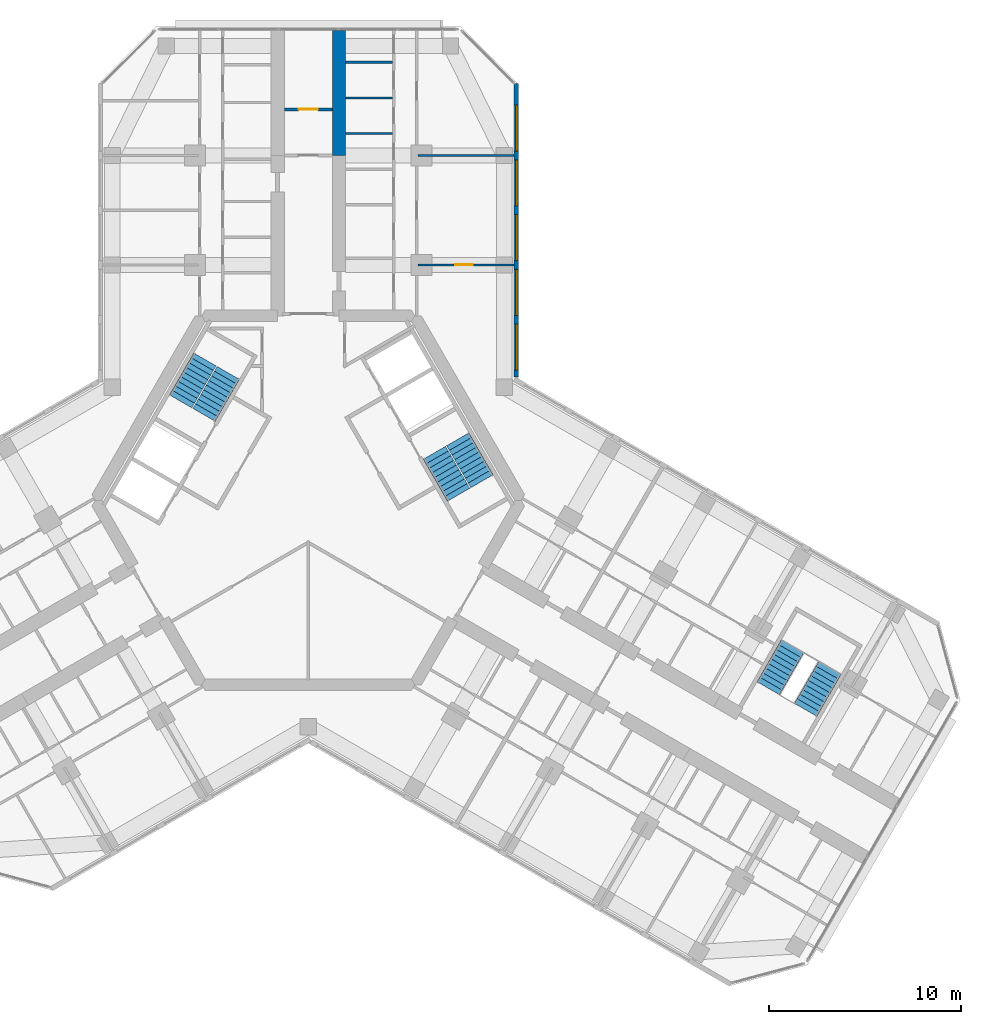
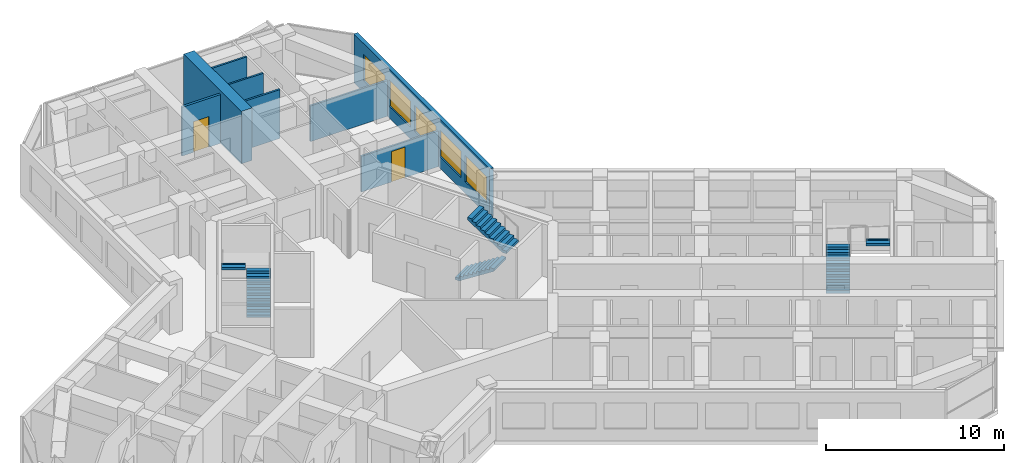
# One storey, part 15 of 16: 8 walls, 6 stair flights, 5 windows, 2 doors, 7 openings, 3 elements without a shape of their own.
"""IFC4 building model written with IfcOpenShell, lengths in metres."""

from ifc_helpers import new_model, si_unit, direction, frame, frame_2d, origin, place, context, subcontext, project, spatial, polyline, rectangle, outline, extrude, material, layer, layer_set, type_object, element, fill, aggregate, save


model = new_model("IFC4")

# Units and contexts
model_context = context("Model", 3, precision=1e-05, world=origin(), true_north=direction((0.0, 1.0)))
body_context = subcontext(model_context, "Body", "Model", "MODEL_VIEW")
ifc_project = project(units=[si_unit("LENGTHUNIT", "METRE"), si_unit("AREAUNIT", "SQUARE_METRE"), si_unit("VOLUMEUNIT", "CUBIC_METRE"), si_unit("PLANEANGLEUNIT", "RADIAN"), si_unit("MASSUNIT", "GRAM", prefix="KILO")], contexts=[model_context])

# Site, building, storey
site_placement = place(None, origin())
site = spatial("IfcSite", under=ifc_project, at=site_placement, CompositionType="ELEMENT")
building_placement = place(site_placement, origin())
building = spatial("IfcBuilding", under=site, at=building_placement, Name="Kosmar Iwan School Tower", CompositionType="ELEMENT")
storey_placement = place(building_placement, frame((0.0, 0.0, 242.39990234375)))
storey = spatial("IfcBuildingStorey", under=building, at=storey_placement, Name="L61", CompositionType="ELEMENT", Elevation=242.39990234375)

# Wall
ifc_material_1 = material(Name="Concrete C50/60", Category="concrete")
ifc_layer_1 = layer(ifc_material_1, 0.699951171875)
ifc_layer_set_1 = layer_set([ifc_layer_1], Name="Corridor buttress wall 700")
wall_type_1 = type_object("IfcWallType", Name="Corridor buttress wall 700", PredefinedType="SHEAR", material=ifc_layer_set_1)
wall_1_placement = place(storey_placement, frame((1.60009765625, 17.949951171875, 0.0), z_axis=(0.0, 0.0, 1.0), x_axis=(0.0, 1.0, 0.0)))
element("IfcWall", 1, at=wall_1_placement, inside=storey, type_object=wall_type_1, Name="Corridor wall AR bay 2", PredefinedType="SHEAR", context=body_context, shape_type="SweptSolid", body=[
    extrude(rectangle(XDim=6.4951171875, YDim=0.699951171875, at=frame_2d((3.24755859375, 0.0))), origin(), (0.0, 0.0, 1.0), 3.60009765625),
])

# Wall, opening, door
ifc_material_2 = material(Name="Gypsum board on steel studs, fire-rated", Category="steel")
ifc_layer_2 = layer(ifc_material_2, 0.14990234375)
ifc_layer_set_2 = layer_set([ifc_layer_2], Name="Corridor end wall 150")
wall_type_2 = type_object("IfcWallType", Name="Corridor end wall 150", PredefinedType="PARTITIONING", material=ifc_layer_set_2)
wall_2_placement = place(storey_placement, frame((1.25, 20.35009765625, 0.0), z_axis=(0.0, 0.0, 1.0), x_axis=(-1.0, 0.0, 0.0)))
wall_2 = element("IfcWall", 2, at=wall_2_placement, inside=storey, type_object=wall_type_2, Name="Partition L61-A-CE", PredefinedType="PARTITIONING", context=body_context, shape_type="SweptSolid", body=[
    extrude(rectangle(XDim=2.5, YDim=0.14990234375, at=frame_2d((1.25, 0.0))), origin(), (0.0, 0.0, 1.0), 3.35009765625),
])
opening_1_placement = place(wall_2_placement, frame((0.75, 0.0, 0.0)))
opening_1 = element("IfcOpeningElement", 3, at=opening_1_placement, cuts=wall_2, Name="Opening D13", PredefinedType="OPENING", context=body_context, shape_type="SweptSolid", body=[
    extrude(rectangle(XDim=1.0, YDim=2.10009765625, at=frame_2d((0.5, 1.050048828125))), frame((0.0, 0.0869140625, 0.0), z_axis=(0.0, -1.0, 0.0), x_axis=(1.0, 0.0, 0.0)), (0.0, 0.0, 1.0), 0.173828125),
])
ifc_material_3 = material(Name="Timber fire door with vision panel", Category="wood")
door_type_1 = type_object("IfcDoorType", Name="Corridor end door 1000x2100", OperationType="SINGLE_SWING_LEFT", PredefinedType="DOOR", material=ifc_material_3)
door_1_placement = place(opening_1_placement, origin())
door_1 = element("IfcDoor", 4, at=door_1_placement, inside=storey, type_object=door_type_1, Name="Reading room door L61-A", OperationType="SINGLE_SWING_RIGHT", OverallHeight=2.10009765625, OverallWidth=1.0, PredefinedType="DOOR", context=body_context, shape_type="SweptSolid", body=[
    extrude(rectangle(XDim=1.0, YDim=2.10009765625, at=frame_2d((0.5, 1.050048828125))), frame((0.0, 0.02490234375, 0.0), z_axis=(0.0, -1.0, 0.0), x_axis=(1.0, 0.0, 0.0)), (0.0, 0.0, 1.0), 0.050048828125),
])
fill(opening_1, door_1)

ifc_material_4 = material(Name="Gypsum board on steel studs", Category="steel")
ifc_layer_3 = layer(ifc_material_4, 0.1201171875)
ifc_layer_set_3 = layer_set([ifc_layer_3], Name="Dwelling partition 120")
wall_type_3 = type_object("IfcWallType", Name="Dwelling partition 120", PredefinedType="PARTITIONING", material=ifc_layer_set_3)
wall_3_placement = place(storey_placement, frame((5.7099609375, 12.25, 0.0), z_axis=(0.0, 0.0, 1.0), x_axis=(1.0, 0.0, 0.0)))
wall_3 = element("IfcWall", 5, at=wall_3_placement, inside=storey, type_object=wall_type_3, Name="Partition L61-AR1-X1", PredefinedType="PARTITIONING", context=body_context, shape_type="SweptSolid", body=[
    extrude(rectangle(XDim=4.989990234375, YDim=0.1201171875, at=frame_2d((2.4951171875, 0.0))), origin(), (0.0, 0.0, 1.0), 2.4501953125),
])
opening_2_placement = place(wall_3_placement, frame((1.93994140625, 0.0, 0.0)))
opening_2 = element("IfcOpeningElement", 6, at=opening_2_placement, cuts=wall_3, Name="Opening D2", PredefinedType="OPENING", context=body_context, shape_type="SweptSolid", body=[
    extrude(rectangle(XDim=0.89990234375, YDim=2.10009765625, at=frame_2d((0.449951171875, 1.050048828125))), frame((0.0, 0.072021484375, 0.0), z_axis=(0.0, -1.0, 0.0), x_axis=(1.0, 0.0, 0.0)), (0.0, 0.0, 1.0), 0.14404296875),
])
ifc_material_5 = material(Name="Timber door in timber frame", Category="wood")
door_type_2 = type_object("IfcDoorType", Name="Internal door 900x2100", OperationType="SINGLE_SWING_LEFT", PredefinedType="DOOR", material=ifc_material_5)
door_2_placement = place(opening_2_placement, origin())
door_2 = element("IfcDoor", 7, at=door_2_placement, inside=storey, type_object=door_type_2, Name="Kitchen and dining room door L61-AR1-F1", OperationType="SINGLE_SWING_LEFT", OverallHeight=2.10009765625, OverallWidth=0.89990234375, PredefinedType="DOOR", context=body_context, shape_type="SweptSolid", body=[
    extrude(rectangle(XDim=0.89990234375, YDim=2.10009765625, at=frame_2d((0.449951171875, 1.050048828125))), frame((0.0, 0.02490234375, 0.0), z_axis=(0.0, -1.0, 0.0), x_axis=(1.0, 0.0, 0.0)), (0.0, 0.0, 1.0), 0.050048828125),
])
fill(opening_2, door_2)

# Walls
wall_4_placement = place(storey_placement, frame((5.7099609375, 17.949951171875, 0.0), z_axis=(0.0, 0.0, 1.0), x_axis=(1.0, 0.0, 0.0)))
element("IfcWall", 8, at=wall_4_placement, inside=storey, type_object=wall_type_3, Name="Partition L61-AR1-X2", PredefinedType="PARTITIONING", context=body_context, shape_type="SweptSolid", body=[
    extrude(rectangle(XDim=4.989990234375, YDim=0.1201171875, at=frame_2d((2.4951171875, 0.0))), origin(), (0.0, 0.0, 1.0), 2.4501953125),
])
for number, where, z_axis, x_axis, name in (
    (9, (1.949951171875, 19.08837890625, 0.0), (0.0, 0.0, 1.0), (1.0, 0.0, 0.0), "Partition L61-AR1-Y4"),
    (10, (1.949951171875, 20.9423828125, 0.0), (0.0, 0.0, 1.0), (1.0, 0.0, 0.0), "Partition L61-AR1-Y5"),
    (11, (1.949951171875, 22.796142578125, 0.0), (0.0, 0.0, 1.0), (1.0, 0.0, 0.0), "Partition L61-AR1-Y6"),
):
    element("IfcWall", number, at=place(storey_placement, frame(where, z_axis=z_axis, x_axis=x_axis)), inside=storey, type_object=wall_type_3, Name=name, PredefinedType="PARTITIONING", context=body_context, shape_type="SweptSolid", body=[
        extrude(rectangle(XDim=2.43994140625, YDim=0.1201171875, at=frame_2d((1.219970703125, 0.0))), origin(), (0.0, 0.0, 1.0), 3.35009765625),
    ])

# Wall, openings, windows
ifc_material_6 = material(Name="Black aluminium rainscreen on insulated framing", Category="aluminium")
ifc_layer_4 = layer(ifc_material_6, 0.25)
ifc_layer_set_4 = layer_set([ifc_layer_4], Name="External wall rainscreen 250")
wall_type_4 = type_object("IfcWallType", Name="External wall rainscreen 250", PredefinedType="SOLIDWALL", material=ifc_layer_set_4)
wall_5_placement = place(storey_placement, frame((10.824951171875, 6.408935546875, 0.0), z_axis=(0.0, 0.0, 1.0), x_axis=(0.0, 1.0, 0.0)))
wall_5 = element("IfcWall", 12, at=wall_5_placement, inside=storey, type_object=wall_type_4, Name="External wall AR L61", PredefinedType="SOLIDWALL", context=body_context, shape_type="SweptSolid", body=[
    extrude(rectangle(XDim=15.2763671875, YDim=0.25, at=frame_2d((7.63818359375, 0.0))), origin(), (0.0, 0.0, 1.0), 3.35009765625),
])
opening_3_placement = place(wall_5_placement, frame((0.365966796875, 0.0, 0.800048828125)))
opening_3 = element("IfcOpeningElement", 13, at=opening_3_placement, cuts=wall_5, Name="Opening W5", PredefinedType="OPENING", context=body_context, shape_type="SweptSolid", body=[
    extrude(rectangle(XDim=2.39990234375, YDim=1.800048828125, at=frame_2d((1.199951171875, 0.89990234375))), frame((0.0, 0.136962890625, 0.0), z_axis=(0.0, -1.0, 0.0), x_axis=(1.0, 0.0, 0.0)), (0.0, 0.0, 1.0), 0.27392578125),
])
opening_4_placement = place(wall_5_placement, frame((3.216064453125, 0.0, 0.800048828125)))
opening_4 = element("IfcOpeningElement", 14, at=opening_4_placement, cuts=wall_5, Name="Opening W5", PredefinedType="OPENING", context=body_context, shape_type="SweptSolid", body=[
    extrude(rectangle(XDim=2.39990234375, YDim=1.800048828125, at=frame_2d((1.199951171875, 0.89990234375))), frame((0.0, 0.136962890625, 0.0), z_axis=(0.0, -1.0, 0.0), x_axis=(1.0, 0.0, 0.0)), (0.0, 0.0, 1.0), 0.27392578125),
])
opening_5_placement = place(wall_5_placement, frame((6.06591796875, 0.0, 0.800048828125)))
opening_5 = element("IfcOpeningElement", 15, at=opening_5_placement, cuts=wall_5, Name="Opening W5", PredefinedType="OPENING", context=body_context, shape_type="SweptSolid", body=[
    extrude(rectangle(XDim=2.39990234375, YDim=1.800048828125, at=frame_2d((1.199951171875, 0.89990234375))), frame((0.0, 0.136962890625, 0.0), z_axis=(0.0, -1.0, 0.0), x_axis=(1.0, 0.0, 0.0)), (0.0, 0.0, 1.0), 0.27392578125),
])
opening_6_placement = place(wall_5_placement, frame((8.916015625, 0.0, 0.800048828125)))
opening_6 = element("IfcOpeningElement", 16, at=opening_6_placement, cuts=wall_5, Name="Opening W5", PredefinedType="OPENING", context=body_context, shape_type="SweptSolid", body=[
    extrude(rectangle(XDim=2.39990234375, YDim=1.800048828125, at=frame_2d((1.199951171875, 0.89990234375))), frame((0.0, 0.136962890625, 0.0), z_axis=(0.0, -1.0, 0.0), x_axis=(1.0, 0.0, 0.0)), (0.0, 0.0, 1.0), 0.27392578125),
])
opening_7_placement = place(wall_5_placement, frame((11.76611328125, 0.0, 0.800048828125)))
opening_7 = element("IfcOpeningElement", 17, at=opening_7_placement, cuts=wall_5, Name="Opening W5", PredefinedType="OPENING", context=body_context, shape_type="SweptSolid", body=[
    extrude(rectangle(XDim=2.39990234375, YDim=1.800048828125, at=frame_2d((1.199951171875, 0.89990234375))), frame((0.0, 0.136962890625, 0.0), z_axis=(0.0, -1.0, 0.0), x_axis=(1.0, 0.0, 0.0)), (0.0, 0.0, 1.0), 0.27392578125),
])
ifc_material_7 = material(Name="Black aluminium frame with dark triple glazing", Category="aluminium")
window_type = type_object("IfcWindowType", Name="Window 2400x1800", PartitioningType="SINGLE_PANEL", PredefinedType="WINDOW", material=ifc_material_7)
window_1_placement = place(opening_3_placement, origin())
window_1 = element("IfcWindow", 18, at=window_1_placement, inside=storey, type_object=window_type, Name="Window AR L61 -1", OverallHeight=1.800048828125, OverallWidth=2.39990234375, PartitioningType="SINGLE_PANEL", PredefinedType="WINDOW", context=body_context, shape_type="SweptSolid", body=[
    extrude(rectangle(XDim=2.39990234375, YDim=1.800048828125, at=frame_2d((1.199951171875, 0.89990234375))), frame((0.0, 0.030029296875, 0.0), z_axis=(0.0, -1.0, 0.0), x_axis=(1.0, 0.0, 0.0)), (0.0, 0.0, 1.0), 0.06005859375),
])
fill(opening_3, window_1)
window_2_placement = place(opening_4_placement, origin())
window_2 = element("IfcWindow", 19, at=window_2_placement, inside=storey, type_object=window_type, Name="Window AR L61 0", OverallHeight=1.800048828125, OverallWidth=2.39990234375, PartitioningType="SINGLE_PANEL", PredefinedType="WINDOW", context=body_context, shape_type="SweptSolid", body=[
    extrude(rectangle(XDim=2.39990234375, YDim=1.800048828125, at=frame_2d((1.199951171875, 0.89990234375))), frame((0.0, 0.030029296875, 0.0), z_axis=(0.0, -1.0, 0.0), x_axis=(1.0, 0.0, 0.0)), (0.0, 0.0, 1.0), 0.06005859375),
])
fill(opening_4, window_2)
window_3_placement = place(opening_5_placement, origin())
window_3 = element("IfcWindow", 20, at=window_3_placement, inside=storey, type_object=window_type, Name="Window AR L61 1", OverallHeight=1.800048828125, OverallWidth=2.39990234375, PartitioningType="SINGLE_PANEL", PredefinedType="WINDOW", context=body_context, shape_type="SweptSolid", body=[
    extrude(rectangle(XDim=2.39990234375, YDim=1.800048828125, at=frame_2d((1.199951171875, 0.89990234375))), frame((0.0, 0.030029296875, 0.0), z_axis=(0.0, -1.0, 0.0), x_axis=(1.0, 0.0, 0.0)), (0.0, 0.0, 1.0), 0.06005859375),
])
fill(opening_5, window_3)
window_4_placement = place(opening_6_placement, origin())
window_4 = element("IfcWindow", 21, at=window_4_placement, inside=storey, type_object=window_type, Name="Window AR L61 2", OverallHeight=1.800048828125, OverallWidth=2.39990234375, PartitioningType="SINGLE_PANEL", PredefinedType="WINDOW", context=body_context, shape_type="SweptSolid", body=[
    extrude(rectangle(XDim=2.39990234375, YDim=1.800048828125, at=frame_2d((1.199951171875, 0.89990234375))), frame((0.0, 0.030029296875, 0.0), z_axis=(0.0, -1.0, 0.0), x_axis=(1.0, 0.0, 0.0)), (0.0, 0.0, 1.0), 0.06005859375),
])
fill(opening_6, window_4)
window_5_placement = place(opening_7_placement, origin())
window_5 = element("IfcWindow", 22, at=window_5_placement, inside=storey, type_object=window_type, Name="Window AR L61 3", OverallHeight=1.800048828125, OverallWidth=2.39990234375, PartitioningType="SINGLE_PANEL", PredefinedType="WINDOW", context=body_context, shape_type="SweptSolid", body=[
    extrude(rectangle(XDim=2.39990234375, YDim=1.800048828125, at=frame_2d((1.199951171875, 0.89990234375))), frame((0.0, 0.030029296875, 0.0), z_axis=(0.0, -1.0, 0.0), x_axis=(1.0, 0.0, 0.0)), (0.0, 0.0, 1.0), 0.06005859375),
])
fill(opening_7, window_5)

# Stair, stair flights
ifc_material_8 = material(Name="Concrete C35/45", Category="concrete")
stair_type_1 = type_object("IfcStairType", Name="Escape stair 3600", PredefinedType="HALF_TURN_STAIR", material=ifc_material_8)
stair_1_placement = place(storey_placement, origin())
stair_1 = element("IfcStair", 23, at=stair_1_placement, inside=storey, type_object=stair_type_1, Name="Stair WS3 L61", PredefinedType="HALF_TURN_STAIR")
ifc_material_9 = material(Name="Concrete C35/45", Category="concrete")
stair_flight_type_1 = type_object("IfcStairFlightType", Name="Escape stair flight 1350", PredefinedType="STRAIGHT", material=ifc_material_9)
stair_flight_1_placement = place(storey_placement, frame((23.94189453125, -9.781494140625, 0.0), z_axis=(0.0, 0.0, 1.0), x_axis=(0.5, 0.866025403784, 0.0)))
stair_flight_1 = element("IfcStairFlight", 24, at=stair_flight_1_placement, type_object=stair_flight_type_1, Name="WS3 flight 1", NumberOfRisers=10, NumberOfTreads=9, PredefinedType="STRAIGHT", RiserHeight=0.18, TreadLength=0.28, context=body_context, shape_type="SweptSolid", body=[
    extrude(outline(polyline([(0.0, 0.0), (0.0, 0.179931640625), (0.280029296875, 0.179931640625), (0.280029296875, 0.360107421875), (0.56005859375, 0.360107421875), (0.56005859375, 0.5400390625), (0.840087890625, 0.5400390625), (0.840087890625, 0.719970703125), (1.1201171875, 0.719970703125), (1.1201171875, 0.89990234375), (1.39990234375, 0.89990234375), (1.39990234375, 1.080078125), (1.679931640625, 1.080078125), (1.679931640625, 1.260009765625), (1.9599609375, 1.260009765625), (1.9599609375, 1.43994140625), (2.239990234375, 1.43994140625), (2.239990234375, 1.6201171875), (2.52001953125, 1.6201171875), (2.52001953125, 1.800048828125), (2.52001953125, 1.44189453125), (0.277099609375, 0.0), (0.0, 0.0)])), frame((0.0, 0.675048828125, 0.0), z_axis=(0.0, -1.0, 0.0), x_axis=(1.0, 0.0, 0.0)), (0.0, 0.0, 1.0), 1.35009765625),
])
stair_flight_2_placement = place(storey_placement, frame((27.150390625, -8.72412109375, 1.800048828125), z_axis=(0.0, 0.0, 1.0), x_axis=(-0.5, -0.866025403784, 0.0)))
stair_flight_2 = element("IfcStairFlight", 25, at=stair_flight_2_placement, type_object=stair_flight_type_1, Name="WS3 flight 2", NumberOfRisers=10, NumberOfTreads=9, PredefinedType="STRAIGHT", RiserHeight=0.18, TreadLength=0.28, context=body_context, shape_type="SweptSolid", body=[
    extrude(outline(polyline([(0.0, 0.0), (0.0, 0.179931640625), (0.280029296875, 0.179931640625), (0.280029296875, 0.360107421875), (0.56005859375, 0.360107421875), (0.56005859375, 0.5400390625), (0.840087890625, 0.5400390625), (0.840087890625, 0.719970703125), (1.1201171875, 0.719970703125), (1.1201171875, 0.89990234375), (1.39990234375, 0.89990234375), (1.39990234375, 1.080078125), (1.679931640625, 1.080078125), (1.679931640625, 1.260009765625), (1.9599609375, 1.260009765625), (1.9599609375, 1.43994140625), (2.239990234375, 1.43994140625), (2.239990234375, 1.6201171875), (2.52001953125, 1.6201171875), (2.52001953125, 1.800048828125), (2.52001953125, 1.44189453125), (0.277099609375, 0.0), (0.0, 0.0)])), frame((0.0, 0.675048828125, 0.0), z_axis=(0.0, -1.0, 0.0), x_axis=(1.0, 0.0, 0.0)), (0.0, 0.0, 1.0), 1.35009765625),
])
aggregate(stair_1, [stair_flight_1, stair_flight_2])

ifc_material_10 = material(Name="Concrete C35/45", Category="concrete")
stair_type_2 = type_object("IfcStairType", Name="Core stair 2750", PredefinedType="HALF_TURN_STAIR", material=ifc_material_10)
stair_2_placement = place(storey_placement, origin())
stair_2 = element("IfcStair", 26, at=stair_2_placement, inside=storey, type_object=stair_type_2, Name="Stair ST2 L61", PredefinedType="HALF_TURN_STAIR")
ifc_material_11 = material(Name="Concrete C35/45", Category="concrete")
stair_flight_type_2 = type_object("IfcStairFlightType", Name="Stair flight 1350", PredefinedType="STRAIGHT", material=ifc_material_11)
stair_flight_3_placement = place(storey_placement, frame((-5.42724609375, 4.44970703125, 0.0), z_axis=(0.0, 0.0, 1.0), x_axis=(0.5, 0.866025403784, 0.0)))
stair_flight_3 = element("IfcStairFlight", 27, at=stair_flight_3_placement, type_object=stair_flight_type_2, Name="ST2 flight 1", NumberOfRisers=10, NumberOfTreads=9, PredefinedType="STRAIGHT", RiserHeight=0.18, TreadLength=0.28, context=body_context, shape_type="SweptSolid", body=[
    extrude(outline(polyline([(0.0, 0.0), (0.0, 0.179931640625), (0.280029296875, 0.179931640625), (0.280029296875, 0.360107421875), (0.56005859375, 0.360107421875), (0.56005859375, 0.5400390625), (0.840087890625, 0.5400390625), (0.840087890625, 0.719970703125), (1.1201171875, 0.719970703125), (1.1201171875, 0.89990234375), (1.39990234375, 0.89990234375), (1.39990234375, 1.080078125), (1.679931640625, 1.080078125), (1.679931640625, 1.260009765625), (1.9599609375, 1.260009765625), (1.9599609375, 1.43994140625), (2.239990234375, 1.43994140625), (2.239990234375, 1.6201171875), (2.52001953125, 1.6201171875), (2.52001953125, 1.800048828125), (2.52001953125, 1.44189453125), (0.277099609375, 0.0), (0.0, 0.0)])), frame((0.0, 0.675048828125, 0.0), z_axis=(0.0, -1.0, 0.0), x_axis=(1.0, 0.0, 0.0)), (0.0, 0.0, 1.0), 1.35009765625),
])
stair_flight_4_placement = place(storey_placement, frame((-5.379638671875, 7.33203125, 1.800048828125), z_axis=(0.0, 0.0, 1.0), x_axis=(-0.5, -0.866025403784, 0.0)))
stair_flight_4 = element("IfcStairFlight", 28, at=stair_flight_4_placement, type_object=stair_flight_type_2, Name="ST2 flight 2", NumberOfRisers=10, NumberOfTreads=9, PredefinedType="STRAIGHT", RiserHeight=0.18, TreadLength=0.28, context=body_context, shape_type="SweptSolid", body=[
    extrude(outline(polyline([(0.0, 0.0), (0.0, 0.179931640625), (0.280029296875, 0.179931640625), (0.280029296875, 0.360107421875), (0.56005859375, 0.360107421875), (0.56005859375, 0.5400390625), (0.840087890625, 0.5400390625), (0.840087890625, 0.719970703125), (1.1201171875, 0.719970703125), (1.1201171875, 0.89990234375), (1.39990234375, 0.89990234375), (1.39990234375, 1.080078125), (1.679931640625, 1.080078125), (1.679931640625, 1.260009765625), (1.9599609375, 1.260009765625), (1.9599609375, 1.43994140625), (2.239990234375, 1.43994140625), (2.239990234375, 1.6201171875), (2.52001953125, 1.6201171875), (2.52001953125, 1.800048828125), (2.52001953125, 1.44189453125), (0.277099609375, 0.0), (0.0, 0.0)])), frame((0.0, 0.675048828125, 0.0), z_axis=(0.0, -1.0, 0.0), x_axis=(1.0, 0.0, 0.0)), (0.0, 0.0, 1.0), 1.35009765625),
])
aggregate(stair_2, [stair_flight_3, stair_flight_4])

stair_3_placement = place(storey_placement, origin())
stair_3 = element("IfcStair", 29, at=stair_3_placement, inside=storey, type_object=stair_type_2, Name="Stair ST1 L61", PredefinedType="HALF_TURN_STAIR")
stair_flight_5_placement = place(storey_placement, frame((6.567138671875, 2.475341796875, 0.0), z_axis=(0.0, 0.0, 1.0), x_axis=(0.5, -0.866025403784, 0.0)))
stair_flight_5 = element("IfcStairFlight", 30, at=stair_flight_5_placement, type_object=stair_flight_type_2, Name="ST1 flight 1", NumberOfRisers=10, NumberOfTreads=9, PredefinedType="STRAIGHT", RiserHeight=0.18, TreadLength=0.28, context=body_context, shape_type="SweptSolid", body=[
    extrude(outline(polyline([(0.0, 0.0), (0.0, 0.179931640625), (0.280029296875, 0.179931640625), (0.280029296875, 0.360107421875), (0.56005859375, 0.360107421875), (0.56005859375, 0.5400390625), (0.840087890625, 0.5400390625), (0.840087890625, 0.719970703125), (1.1201171875, 0.719970703125), (1.1201171875, 0.89990234375), (1.39990234375, 0.89990234375), (1.39990234375, 1.080078125), (1.679931640625, 1.080078125), (1.679931640625, 1.260009765625), (1.9599609375, 1.260009765625), (1.9599609375, 1.43994140625), (2.239990234375, 1.43994140625), (2.239990234375, 1.6201171875), (2.52001953125, 1.6201171875), (2.52001953125, 1.800048828125), (2.52001953125, 1.44189453125), (0.277099609375, 0.0), (0.0, 0.0)])), frame((0.0, 0.675048828125, 0.0), z_axis=(0.0, -1.0, 0.0), x_axis=(1.0, 0.0, 0.0)), (0.0, 0.0, 1.0), 1.35009765625),
])
stair_flight_6_placement = place(storey_placement, frame((9.03955078125, 0.992919921875, 1.800048828125), z_axis=(0.0, 0.0, 1.0), x_axis=(-0.5, 0.866025403784, 0.0)))
stair_flight_6 = element("IfcStairFlight", 31, at=stair_flight_6_placement, type_object=stair_flight_type_2, Name="ST1 flight 2", NumberOfRisers=10, NumberOfTreads=9, PredefinedType="STRAIGHT", RiserHeight=0.18, TreadLength=0.28, context=body_context, shape_type="SweptSolid", body=[
    extrude(outline(polyline([(0.0, 0.0), (0.0, 0.179931640625), (0.280029296875, 0.179931640625), (0.280029296875, 0.360107421875), (0.56005859375, 0.360107421875), (0.56005859375, 0.5400390625), (0.840087890625, 0.5400390625), (0.840087890625, 0.719970703125), (1.1201171875, 0.719970703125), (1.1201171875, 0.89990234375), (1.39990234375, 0.89990234375), (1.39990234375, 1.080078125), (1.679931640625, 1.080078125), (1.679931640625, 1.260009765625), (1.9599609375, 1.260009765625), (1.9599609375, 1.43994140625), (2.239990234375, 1.43994140625), (2.239990234375, 1.6201171875), (2.52001953125, 1.6201171875), (2.52001953125, 1.800048828125), (2.52001953125, 1.44189453125), (0.277099609375, 0.0), (0.0, 0.0)])), frame((0.0, 0.675048828125, 0.0), z_axis=(0.0, -1.0, 0.0), x_axis=(1.0, 0.0, 0.0)), (0.0, 0.0, 1.0), 1.35009765625),
])
aggregate(stair_3, [stair_flight_5, stair_flight_6])

save(model, "model.ifc")
